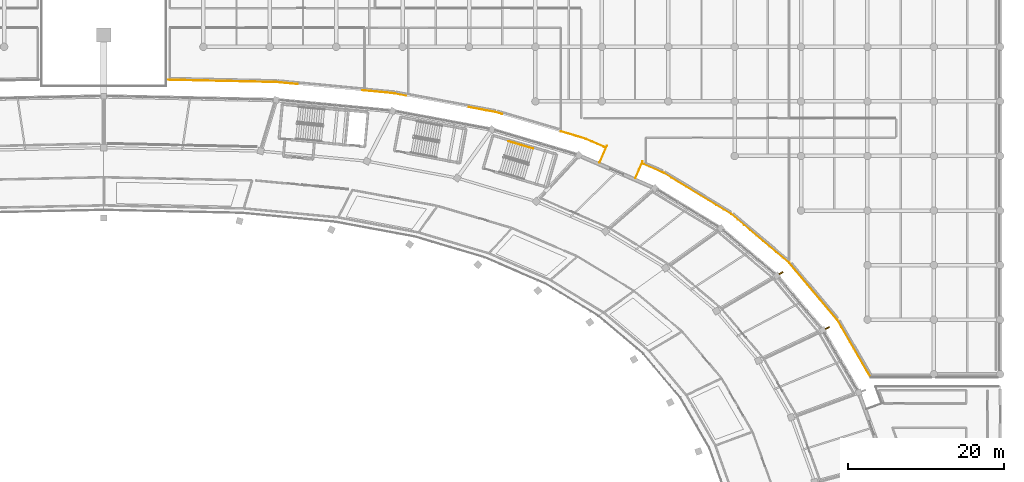
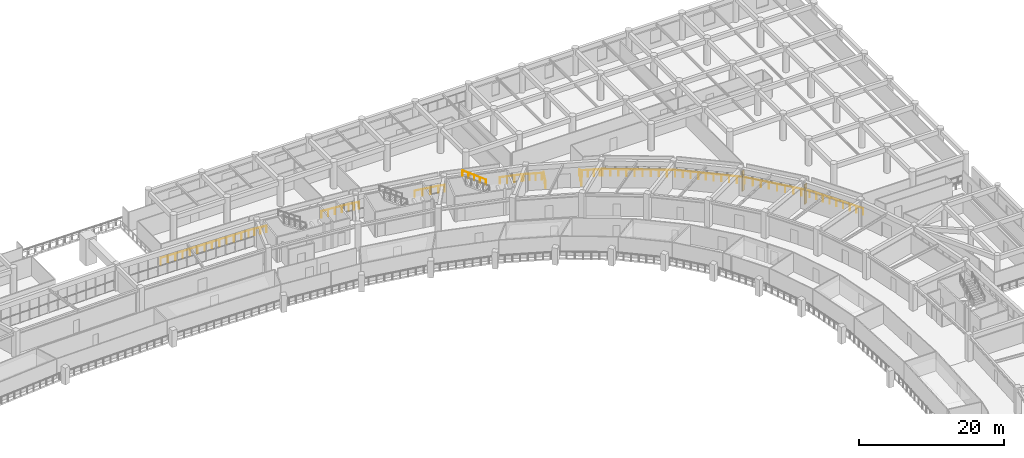
# One storey, part 140 of 141: 8 railings, 2 shading devices.
"""IFC4 building model written with IfcOpenShell, lengths in metres."""

from ifc_helpers import new_model, si_unit, direction, frame, origin, origin_2d, place, context, subcontext, project, spatial, rectangle, circle, extrude, material, type_object, element, save


model = new_model("IFC4")

# Units and contexts
model_context = context("Model", 3, precision=1e-05, world=origin(), true_north=direction((0.0, 1.0)))
body_context = subcontext(model_context, "Body", "Model", "MODEL_VIEW")
ifc_project = project(units=[si_unit("LENGTHUNIT", "METRE"), si_unit("AREAUNIT", "SQUARE_METRE"), si_unit("VOLUMEUNIT", "CUBIC_METRE"), si_unit("PLANEANGLEUNIT", "RADIAN"), si_unit("MASSUNIT", "GRAM", prefix="KILO")], contexts=[model_context])

# Site, building, storey
site_placement = place(None, origin())
site = spatial("IfcSite", under=ifc_project, at=site_placement, CompositionType="ELEMENT")
building_placement = place(site_placement, origin())
building = spatial("IfcBuilding", under=site, at=building_placement, Name="Mphavela Belvedere Stadium", CompositionType="ELEMENT")
storey_placement = place(building_placement, frame((0.0, 0.0, 14.699951171875)))
storey = spatial("IfcBuildingStorey", under=building, at=storey_placement, Name="L03", CompositionType="ELEMENT", Elevation=14.699951171875)

# Railings
ifc_material_1 = material(Name="Bronze and laminated glass stadium balustrade", Category="glass")
railing_type_1 = type_object("IfcRailingType", Name="RAL-BALUSTRADE-1120", PredefinedType="BALUSTRADE", material=ifc_material_1)
railing_1_placement = place(storey_placement, frame((183.190185546875, 150.165283203125, 0.0)))
element("IfcRailing", 1, at=railing_1_placement, inside=storey, type_object=railing_type_1, Name="Colonnade link bridge balustrade L03-08A", PredefinedType="BALUSTRADE", context=body_context, shape_type="SweptSolid", body=[
    extrude(circle(Radius=0.02392578125, at=origin_2d()), frame((0.0, 0.0, 1.09619140625), z_axis=(0.397802772945, 0.91747095531, 0.0), x_axis=(-0.91747095531, 0.397802772945, 0.0)), (0.0, 0.0, 1.0), 2.349853515625),
    extrude(circle(Radius=0.02099609375, at=origin_2d()), origin(), (0.0, 0.0, 1.0), 1.072021484375),
    extrude(circle(Radius=0.02099609375, at=origin_2d()), frame((0.46728515625, 1.078125, 0.0)), (0.0, 0.0, 1.0), 1.072021484375),
    extrude(circle(Radius=0.02099609375, at=origin_2d()), frame((0.934814453125, 2.156005859375, 0.0)), (0.0, 0.0, 1.0), 1.072021484375),
])
railing_2_placement = place(storey_placement, frame((178.602783203125, 152.15380859375, 0.0)))
element("IfcRailing", 2, at=railing_2_placement, inside=storey, type_object=railing_type_1, Name="Colonnade link bridge balustrade L03-08B", PredefinedType="BALUSTRADE", context=body_context, shape_type="SweptSolid", body=[
    extrude(circle(Radius=0.02392578125, at=origin_2d()), frame((0.0, 0.0, 1.09619140625), z_axis=(0.397677406785, 0.917525302176, 0.0), x_axis=(-0.917525302176, 0.397677406785, 0.0)), (0.0, 0.0, 1.0), 2.35009765625),
    extrude(circle(Radius=0.02099609375, at=origin_2d()), origin(), (0.0, 0.0, 1.0), 1.072021484375),
    extrude(circle(Radius=0.02099609375, at=origin_2d()), frame((0.46728515625, 1.078125, 0.0)), (0.0, 0.0, 1.0), 1.072021484375),
    extrude(circle(Radius=0.02099609375, at=origin_2d()), frame((0.9345703125, 2.15625, 0.0)), (0.0, 0.0, 1.0), 1.072021484375),
])
railing_3_placement = place(storey_placement, frame((213.392578125, 124.580078125, 0.0)))
element("IfcRailing", 3, at=railing_3_placement, inside=storey, type_object=railing_type_1, Name="Peristyle wing gallery edge balustrade L03-25", PredefinedType="BALUSTRADE", context=body_context, shape_type="SweptSolid", body=[
    extrude(circle(Radius=0.02392578125, at=origin_2d()), frame((0.0, 0.0, 1.09619140625), z_axis=(-0.501496666229, 0.86515957705, 0.0), x_axis=(-0.86515957705, -0.501496666229, 0.0)), (0.0, 0.0, 1.0), 8.548095703125),
    extrude(circle(Radius=0.02392578125, at=origin_2d()), frame((-4.286865234375, 7.3955078125, 1.09619140625), z_axis=(-0.645159914066, 0.764047567421, 0.0), x_axis=(-0.764047567421, -0.645159914066, 0.0)), (0.0, 0.0, 1.0), 9.544921875),
    extrude(circle(Radius=0.02392578125, at=origin_2d()), frame((-10.44482421875, 14.688232421875, 1.09619140625), z_axis=(-0.764212542959, 0.644964486761, 0.0), x_axis=(-0.644964486761, -0.764212542959, 0.0)), (0.0, 0.0, 1.0), 9.765869140625),
    extrude(circle(Radius=0.02392578125, at=origin_2d()), frame((-17.907958984375, 20.98681640625, 1.09619140625), z_axis=(-0.853987904956, 0.520292858099, 0.0), x_axis=(-0.520292858099, -0.853987904956, 0.0)), (0.0, 0.0, 1.0), 10.074462890625),
    extrude(circle(Radius=0.02392578125, at=origin_2d()), frame((-26.511474609375, 26.228515625, 1.09619140625), z_axis=(-0.887624752967, 0.460567365236, 0.0), x_axis=(-0.460567365236, -0.887624752967, 0.0)), (0.0, 0.0, 1.0), 0.313232421875),
    extrude(circle(Radius=0.02392578125, at=origin_2d()), frame((-26.78955078125, 26.372802734375, 1.09619140625), z_axis=(-0.917490104343, 0.397758605731, 0.0), x_axis=(-0.397758605731, -0.917490104343, 0.0)), (0.0, 0.0, 1.0), 2.5380859375),
    extrude(circle(Radius=0.02099609375, at=origin_2d()), origin(), (0.0, 0.0, 1.0), 1.072021484375),
    extrude(circle(Radius=0.02099609375, at=origin_2d()), frame((-0.535888671875, 0.92431640625, 0.0)), (0.0, 0.0, 1.0), 1.072021484375),
    extrude(circle(Radius=0.02099609375, at=origin_2d()), frame((-1.07177734375, 1.848876953125, 0.0)), (0.0, 0.0, 1.0), 1.072021484375),
    extrude(circle(Radius=0.02099609375, at=origin_2d()), frame((-1.607666015625, 2.7734375, 0.0)), (0.0, 0.0, 1.0), 1.072021484375),
    extrude(circle(Radius=0.02099609375, at=origin_2d()), frame((-2.1435546875, 3.69775390625, 0.0)), (0.0, 0.0, 1.0), 1.072021484375),
    extrude(circle(Radius=0.02099609375, at=origin_2d()), frame((-2.67919921875, 4.6220703125, 0.0)), (0.0, 0.0, 1.0), 1.072021484375),
    extrude(circle(Radius=0.02099609375, at=origin_2d()), frame((-3.215087890625, 5.546630859375, 0.0)), (0.0, 0.0, 1.0), 1.072021484375),
    extrude(circle(Radius=0.02099609375, at=origin_2d()), frame((-3.7509765625, 6.47119140625, 0.0)), (0.0, 0.0, 1.0), 1.072021484375),
    extrude(circle(Radius=0.02099609375, at=origin_2d()), frame((-4.286865234375, 7.3955078125, 0.0)), (0.0, 0.0, 1.0), 1.072021484375),
    extrude(circle(Radius=0.02099609375, at=origin_2d()), frame((-5.056640625, 8.30712890625, 0.0)), (0.0, 0.0, 1.0), 1.072021484375),
    extrude(circle(Radius=0.02099609375, at=origin_2d()), frame((-5.826416015625, 9.21875, 0.0)), (0.0, 0.0, 1.0), 1.072021484375),
    extrude(circle(Radius=0.02099609375, at=origin_2d()), frame((-6.59619140625, 10.13037109375, 0.0)), (0.0, 0.0, 1.0), 1.072021484375),
    extrude(circle(Radius=0.02099609375, at=origin_2d()), frame((-7.36572265625, 11.0419921875, 0.0)), (0.0, 0.0, 1.0), 1.072021484375),
    extrude(circle(Radius=0.02099609375, at=origin_2d()), frame((-8.135498046875, 11.953369140625, 0.0)), (0.0, 0.0, 1.0), 1.072021484375),
    extrude(circle(Radius=0.02099609375, at=origin_2d()), frame((-8.9052734375, 12.864990234375, 0.0)), (0.0, 0.0, 1.0), 1.072021484375),
    extrude(circle(Radius=0.02099609375, at=origin_2d()), frame((-9.675048828125, 13.776611328125, 0.0)), (0.0, 0.0, 1.0), 1.072021484375),
    extrude(circle(Radius=0.02099609375, at=origin_2d()), frame((-10.44482421875, 14.688232421875, 0.0)), (0.0, 0.0, 1.0), 1.072021484375),
    extrude(circle(Radius=0.02099609375, at=origin_2d()), frame((-11.274169921875, 15.38818359375, 0.0)), (0.0, 0.0, 1.0), 1.072021484375),
    extrude(circle(Radius=0.02099609375, at=origin_2d()), frame((-12.103271484375, 16.087890625, 0.0)), (0.0, 0.0, 1.0), 1.072021484375),
    extrude(circle(Radius=0.02099609375, at=origin_2d()), frame((-12.9326171875, 16.787841796875, 0.0)), (0.0, 0.0, 1.0), 1.072021484375),
    extrude(circle(Radius=0.02099609375, at=origin_2d()), frame((-13.76171875, 17.487548828125, 0.0)), (0.0, 0.0, 1.0), 1.072021484375),
    extrude(circle(Radius=0.02099609375, at=origin_2d()), frame((-14.591064453125, 18.1875, 0.0)), (0.0, 0.0, 1.0), 1.072021484375),
    extrude(circle(Radius=0.02099609375, at=origin_2d()), frame((-15.420166015625, 18.88720703125, 0.0)), (0.0, 0.0, 1.0), 1.072021484375),
    extrude(circle(Radius=0.02099609375, at=origin_2d()), frame((-16.24951171875, 19.587158203125, 0.0)), (0.0, 0.0, 1.0), 1.072021484375),
    extrude(circle(Radius=0.02099609375, at=origin_2d()), frame((-17.07861328125, 20.286865234375, 0.0)), (0.0, 0.0, 1.0), 1.072021484375),
    extrude(circle(Radius=0.02099609375, at=origin_2d()), frame((-17.907958984375, 20.98681640625, 0.0)), (0.0, 0.0, 1.0), 1.072021484375),
    extrude(circle(Radius=0.02099609375, at=origin_2d()), frame((-18.864013671875, 21.5693359375, 0.0)), (0.0, 0.0, 1.0), 1.072021484375),
    extrude(circle(Radius=0.02099609375, at=origin_2d()), frame((-19.81982421875, 22.151611328125, 0.0)), (0.0, 0.0, 1.0), 1.072021484375),
    extrude(circle(Radius=0.02099609375, at=origin_2d()), frame((-20.77587890625, 22.734130859375, 0.0)), (0.0, 0.0, 1.0), 1.072021484375),
    extrude(circle(Radius=0.02099609375, at=origin_2d()), frame((-21.731689453125, 23.31640625, 0.0)), (0.0, 0.0, 1.0), 1.072021484375),
    extrude(circle(Radius=0.02099609375, at=origin_2d()), frame((-22.687744140625, 23.89892578125, 0.0)), (0.0, 0.0, 1.0), 1.072021484375),
    extrude(circle(Radius=0.02099609375, at=origin_2d()), frame((-23.6435546875, 24.481201171875, 0.0)), (0.0, 0.0, 1.0), 1.072021484375),
    extrude(circle(Radius=0.02099609375, at=origin_2d()), frame((-24.599609375, 25.063720703125, 0.0)), (0.0, 0.0, 1.0), 1.072021484375),
    extrude(circle(Radius=0.02099609375, at=origin_2d()), frame((-25.555419921875, 25.64599609375, 0.0)), (0.0, 0.0, 1.0), 1.072021484375),
    extrude(circle(Radius=0.02099609375, at=origin_2d()), frame((-26.511474609375, 26.228515625, 0.0)), (0.0, 0.0, 1.0), 1.072021484375),
    extrude(circle(Radius=0.02099609375, at=origin_2d()), frame((-26.78955078125, 26.372802734375, 0.0)), (0.0, 0.0, 1.0), 1.072021484375),
    extrude(circle(Radius=0.02099609375, at=origin_2d()), frame((-27.565673828125, 26.709228515625, 0.0)), (0.0, 0.0, 1.0), 1.072021484375),
    extrude(circle(Radius=0.02099609375, at=origin_2d()), frame((-28.342041015625, 27.0458984375, 0.0)), (0.0, 0.0, 1.0), 1.072021484375),
    extrude(circle(Radius=0.02099609375, at=origin_2d()), frame((-29.1181640625, 27.38232421875, 0.0)), (0.0, 0.0, 1.0), 1.072021484375),
])
railing_4_placement = place(storey_placement, frame((179.173095703125, 154.173583984375, 0.0)))
element("IfcRailing", 4, at=railing_4_placement, inside=storey, type_object=railing_type_1, Name="Peristyle wing gallery edge balustrade L03-26", PredefinedType="BALUSTRADE", context=body_context, shape_type="SweptSolid", body=[
    extrude(circle(Radius=0.02392578125, at=origin_2d()), frame((0.0, 0.0, 1.09619140625), z_axis=(-0.917490104343, 0.397758605731, 0.0), x_axis=(-0.397758605731, -0.917490104343, 0.0)), (0.0, 0.0, 1.0), 2.5380859375),
    extrude(circle(Radius=0.02392578125, at=origin_2d()), frame((-2.32861328125, 1.009521484375, 1.09619140625), z_axis=(-0.939740596708, 0.341888301786, 0.0), x_axis=(-0.341888301786, -0.939740596708, 0.0)), (0.0, 0.0, 1.0), 0.27001953125),
    extrude(circle(Radius=0.02392578125, at=origin_2d()), frame((-2.582275390625, 1.101806640625, 1.09619140625), z_axis=(-0.958628081437, 0.284661556028, 0.0), x_axis=(-0.284661556028, -0.958628081437, 0.0)), (0.0, 0.0, 1.0), 3.10302734375),
    extrude(circle(Radius=0.02099609375, at=origin_2d()), origin(), (0.0, 0.0, 1.0), 1.072021484375),
    extrude(circle(Radius=0.02099609375, at=origin_2d()), frame((-0.776123046875, 0.33642578125, 0.0)), (0.0, 0.0, 1.0), 1.072021484375),
    extrude(circle(Radius=0.02099609375, at=origin_2d()), frame((-1.552490234375, 0.673095703125, 0.0)), (0.0, 0.0, 1.0), 1.072021484375),
    extrude(circle(Radius=0.02099609375, at=origin_2d()), frame((-2.32861328125, 1.009521484375, 0.0)), (0.0, 0.0, 1.0), 1.072021484375),
    extrude(circle(Radius=0.02099609375, at=origin_2d()), frame((-2.582275390625, 1.101806640625, 0.0)), (0.0, 0.0, 1.0), 1.072021484375),
    extrude(circle(Radius=0.02099609375, at=origin_2d()), frame((-3.57373046875, 1.396240234375, 0.0)), (0.0, 0.0, 1.0), 1.072021484375),
    extrude(circle(Radius=0.02099609375, at=origin_2d()), frame((-4.5654296875, 1.690673828125, 0.0)), (0.0, 0.0, 1.0), 1.072021484375),
    extrude(circle(Radius=0.02099609375, at=origin_2d()), frame((-5.556884765625, 1.985107421875, 0.0)), (0.0, 0.0, 1.0), 1.072021484375),
])
railing_5_placement = place(storey_placement, frame((166.094970703125, 158.39111328125, 0.0)))
element("IfcRailing", 5, at=railing_5_placement, inside=storey, type_object=railing_type_1, Name="Peristyle wing gallery edge balustrade L03-27", PredefinedType="BALUSTRADE", context=body_context, shape_type="SweptSolid", body=[
    extrude(circle(Radius=0.02392578125, at=origin_2d()), frame((0.0, 0.0, 1.09619140625), z_axis=(-0.96248917912, 0.271320069434, 0.0), x_axis=(-0.271320069434, -0.96248917912, 0.0)), (0.0, 0.0, 1.0), 0.91064453125),
    extrude(circle(Radius=0.02392578125, at=origin_2d()), frame((-0.87646484375, 0.2470703125, 1.09619140625), z_axis=(-0.983089595219, 0.183125224291, 0.0), x_axis=(-0.183125224291, -0.983089595219, 0.0)), (0.0, 0.0, 1.0), 3.459716796875),
    extrude(circle(Radius=0.02099609375, at=origin_2d()), origin(), (0.0, 0.0, 1.0), 1.072021484375),
    extrude(circle(Radius=0.02099609375, at=origin_2d()), frame((-0.87646484375, 0.2470703125, 0.0)), (0.0, 0.0, 1.0), 1.072021484375),
    extrude(circle(Radius=0.02099609375, at=origin_2d()), frame((-2.01025390625, 0.458251953125, 0.0)), (0.0, 0.0, 1.0), 1.072021484375),
    extrude(circle(Radius=0.02099609375, at=origin_2d()), frame((-3.143798828125, 0.66943359375, 0.0)), (0.0, 0.0, 1.0), 1.072021484375),
    extrude(circle(Radius=0.02099609375, at=origin_2d()), frame((-4.277587890625, 0.880615234375, 0.0)), (0.0, 0.0, 1.0), 1.072021484375),
])
railing_6_placement = place(storey_placement, frame((153.787109375, 160.767333984375, 0.0)))
element("IfcRailing", 6, at=railing_6_placement, inside=storey, type_object=railing_type_1, Name="Peristyle wing gallery edge balustrade L03-28", PredefinedType="BALUSTRADE", context=body_context, shape_type="SweptSolid", body=[
    extrude(circle(Radius=0.02392578125, at=origin_2d()), frame((0.0, 0.0, 1.09619140625), z_axis=(-0.984163739647, 0.177261765658, 0.0), x_axis=(-0.177261765658, -0.984163739647, 0.0)), (0.0, 0.0, 1.0), 1.52197265625),
    extrude(circle(Radius=0.02392578125, at=origin_2d()), frame((-1.497802734375, 0.269775390625, 1.09619140625), z_axis=(-0.995482726016, 0.094942836503, 0.0), x_axis=(-0.094942836503, -0.995482726016, 0.0)), (0.0, 0.0, 1.0), 4.135009765625),
    extrude(circle(Radius=0.02099609375, at=origin_2d()), origin(), (0.0, 0.0, 1.0), 1.072021484375),
    extrude(circle(Radius=0.02099609375, at=origin_2d()), frame((-0.7490234375, 0.134765625, 0.0)), (0.0, 0.0, 1.0), 1.072021484375),
    extrude(circle(Radius=0.02099609375, at=origin_2d()), frame((-1.497802734375, 0.269775390625, 0.0)), (0.0, 0.0, 1.0), 1.072021484375),
    extrude(circle(Radius=0.02099609375, at=origin_2d()), frame((-2.52685546875, 0.367919921875, 0.0)), (0.0, 0.0, 1.0), 1.072021484375),
    extrude(circle(Radius=0.02099609375, at=origin_2d()), frame((-3.555908203125, 0.466064453125, 0.0)), (0.0, 0.0, 1.0), 1.072021484375),
    extrude(circle(Radius=0.02099609375, at=origin_2d()), frame((-4.5849609375, 0.564208984375, 0.0)), (0.0, 0.0, 1.0), 1.072021484375),
    extrude(circle(Radius=0.02099609375, at=origin_2d()), frame((-5.614013671875, 0.662353515625, 0.0)), (0.0, 0.0, 1.0), 1.072021484375),
])
railing_7_placement = place(storey_placement, frame((139.838134765625, 162.224609375, 0.0)))
element("IfcRailing", 7, at=railing_7_placement, inside=storey, type_object=railing_type_1, Name="Peristyle wing gallery edge balustrade L03-29", PredefinedType="BALUSTRADE", context=body_context, shape_type="SweptSolid", body=[
    extrude(circle(Radius=0.02392578125, at=origin_2d()), frame((0.0, 0.0, 1.09619140625), z_axis=(-0.995701021034, 0.09262546471, 0.0), x_axis=(-0.09262546471, -0.995701021034, 0.0)), (0.0, 0.0, 1.0), 2.685791015625),
    extrude(circle(Radius=0.02392578125, at=origin_2d()), frame((-2.67431640625, 0.248779296875, 1.09619140625), z_axis=(-0.999768449316, 0.021518544383, 0.0), x_axis=(-0.021518544383, -0.999768449316, 0.0)), (0.0, 0.0, 1.0), 13.886962890625),
    extrude(circle(Radius=0.02099609375, at=origin_2d()), origin(), (0.0, 0.0, 1.0), 1.072021484375),
    extrude(circle(Radius=0.02099609375, at=origin_2d()), frame((-0.891357421875, 0.0830078125, 0.0)), (0.0, 0.0, 1.0), 1.072021484375),
    extrude(circle(Radius=0.02099609375, at=origin_2d()), frame((-1.782958984375, 0.165771484375, 0.0)), (0.0, 0.0, 1.0), 1.072021484375),
    extrude(circle(Radius=0.02099609375, at=origin_2d()), frame((-2.67431640625, 0.248779296875, 0.0)), (0.0, 0.0, 1.0), 1.072021484375),
    extrude(circle(Radius=0.02099609375, at=origin_2d()), frame((-3.831298828125, 0.273681640625, 0.0)), (0.0, 0.0, 1.0), 1.072021484375),
    extrude(circle(Radius=0.02099609375, at=origin_2d()), frame((-4.98828125, 0.298583984375, 0.0)), (0.0, 0.0, 1.0), 1.072021484375),
    extrude(circle(Radius=0.02099609375, at=origin_2d()), frame((-6.145263671875, 0.323486328125, 0.0)), (0.0, 0.0, 1.0), 1.072021484375),
    extrude(circle(Radius=0.02099609375, at=origin_2d()), frame((-7.30224609375, 0.348388671875, 0.0)), (0.0, 0.0, 1.0), 1.072021484375),
    extrude(circle(Radius=0.02099609375, at=origin_2d()), frame((-8.459228515625, 0.373291015625, 0.0)), (0.0, 0.0, 1.0), 1.072021484375),
    extrude(circle(Radius=0.02099609375, at=origin_2d()), frame((-9.6162109375, 0.398193359375, 0.0)), (0.0, 0.0, 1.0), 1.072021484375),
    extrude(circle(Radius=0.02099609375, at=origin_2d()), frame((-10.773193359375, 0.423095703125, 0.0)), (0.0, 0.0, 1.0), 1.072021484375),
    extrude(circle(Radius=0.02099609375, at=origin_2d()), frame((-11.93017578125, 0.447998046875, 0.0)), (0.0, 0.0, 1.0), 1.072021484375),
    extrude(circle(Radius=0.02099609375, at=origin_2d()), frame((-13.087158203125, 0.472900390625, 0.0)), (0.0, 0.0, 1.0), 1.072021484375),
    extrude(circle(Radius=0.02099609375, at=origin_2d()), frame((-14.244140625, 0.497802734375, 0.0)), (0.0, 0.0, 1.0), 1.072021484375),
    extrude(circle(Radius=0.02099609375, at=origin_2d()), frame((-15.401123046875, 0.522705078125, 0.0)), (0.0, 0.0, 1.0), 1.072021484375),
    extrude(circle(Radius=0.02099609375, at=origin_2d()), frame((-16.55810546875, 0.547607421875, 0.0)), (0.0, 0.0, 1.0), 1.072021484375),
])
ifc_material_2 = material(Name="Brushed stainless steel tubular handrail", Category="steel")
railing_type_2 = type_object("IfcRailingType", Name="RAL-HANDRAIL-900", PredefinedType="HANDRAIL", material=ifc_material_2)
railing_8_placement = place(storey_placement, frame((170.09912109375, 153.939208984375, 2.4375)))
element("IfcRailing", 8, at=railing_8_placement, inside=storey, type_object=railing_type_2, Name="L03 ST-P01 stair handrail 2", PredefinedType="HANDRAIL", context=body_context, shape_type="SweptSolid", body=[
    extrude(circle(Radius=0.02392578125, at=origin_2d()), frame((0.0, 0.0, 0.8759765625), z_axis=(-0.814477182491, 0.241689626173, 0.527459044667), x_axis=(-0.284481150233, -0.958681633892, 0.0)), (0.0, 0.0, 1.0), 3.91015625),
    extrude(circle(Radius=0.02099609375, at=origin_2d()), origin(), (0.0, 0.0, 1.0), 0.851806640625),
    extrude(circle(Radius=0.02099609375, at=origin_2d()), frame((-0.796142578125, 0.236328125, 0.515625)), (0.0, 0.0, 1.0), 0.851806640625),
    extrude(circle(Radius=0.02099609375, at=origin_2d()), frame((-1.59228515625, 0.47265625, 1.03125)), (0.0, 0.0, 1.0), 0.851806640625),
    extrude(circle(Radius=0.02099609375, at=origin_2d()), frame((-2.388671875, 0.708740234375, 1.546875)), (0.0, 0.0, 1.0), 0.851806640625),
    extrude(circle(Radius=0.02099609375, at=origin_2d()), frame((-3.184814453125, 0.945068359375, 2.0625)), (0.0, 0.0, 1.0), 0.851806640625),
])

# Shading devices
ifc_material_3 = material(Name="Honed limestone and bronze vertical brise-soleil fin", Category="masonry")
shading_device_type = type_object("IfcShadingDeviceType", Name="SHD-SOLAR-FIN", PredefinedType="USERDEFINED", material=ifc_material_3)
for number, where, z_axis, x_axis, name in (
    (9, (207.828125, 130.938720703125, 0.0), (0.0, 0.0, 1.0), (0.903858661687, 0.4278311813, 0.0), "Classical vertical solar brise-soleil fin L03-05"),
    (10, (201.897216796875, 137.9814453125, 0.0), (0.0, 0.0, 1.0), (0.862513669207, 0.506033764121, 0.0), "Classical vertical solar brise-soleil fin L03-06"),
):
    element("IfcShadingDevice", number, at=place(storey_placement, frame(where, z_axis=z_axis, x_axis=x_axis)), inside=storey, type_object=shading_device_type, Name=name, ObjectType="SOLAR FIN", PredefinedType="USERDEFINED", context=body_context, shape_type="SweptSolid", body=[
        extrude(rectangle(XDim=0.550048828125, YDim=0.179931640625, at=origin_2d()), origin(), (0.0, 0.0, 1.0), 3.320068359375),
    ])

save(model, "model.ifc")
